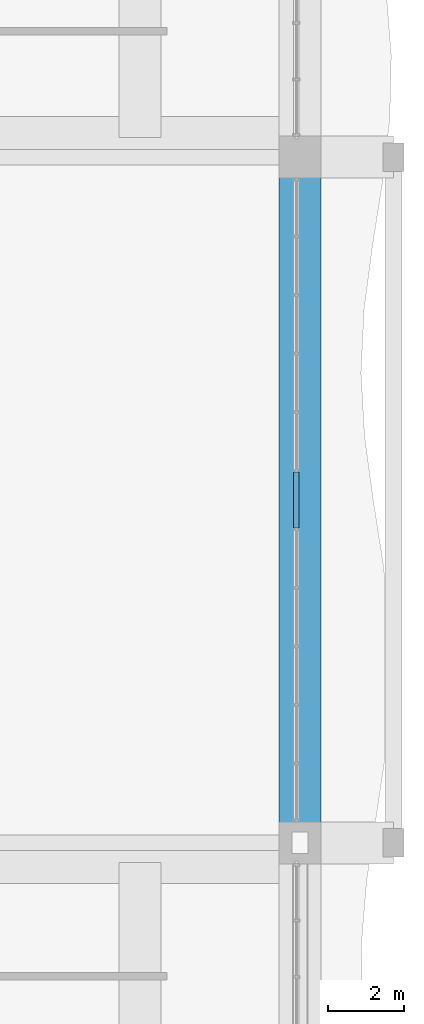
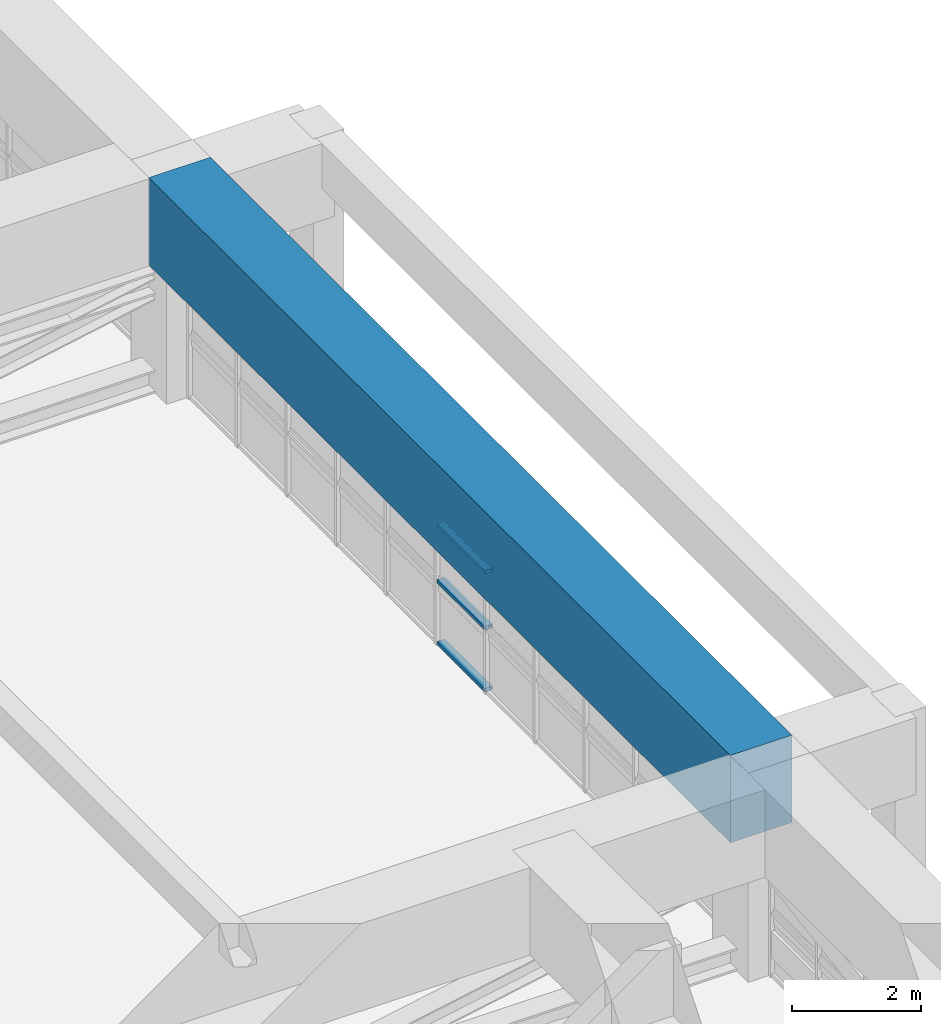
# One storey, part 16 of 35: 3 members, 1 beam, 1 element without a shape of its own.
"""IFC4 building model written with IfcOpenShell, lengths in metres."""

from ifc_helpers import new_model, si_unit, direction, frame, origin, origin_2d, place, context, subcontext, project, spatial, rectangle, hollow_rectangle, extrude, source, transform, mapped, material, layer, layer_set, material_profile, profile_set, type_object, element, aggregate, save


model = new_model("IFC4")

# Units and contexts
model_context = context("Model", 3, precision=1e-05, world=origin(), true_north=direction((0.0, 1.0)))
body_context = subcontext(model_context, "Body", "Model", "MODEL_VIEW")
ifc_project = project(units=[si_unit("LENGTHUNIT", "METRE"), si_unit("AREAUNIT", "SQUARE_METRE"), si_unit("VOLUMEUNIT", "CUBIC_METRE"), si_unit("PLANEANGLEUNIT", "RADIAN"), si_unit("MASSUNIT", "GRAM", prefix="KILO")], contexts=[model_context])

# Site, building, storey
site_placement = place(None, origin())
site = spatial("IfcSite", under=ifc_project, at=site_placement, CompositionType="ELEMENT")
building_placement = place(site_placement, origin())
building = spatial("IfcBuilding", under=site, at=building_placement, Name="Saelheon Loggia Tower", CompositionType="ELEMENT")
storey_placement = place(building_placement, frame((0.0, 0.0, 70.39990234375)))
storey = spatial("IfcBuildingStorey", under=building, at=storey_placement, Name="L22", CompositionType="ELEMENT", Elevation=70.39990234375)

# Beam
ifc_material_1 = material(Name="Concrete C50/60", Category="concrete")
ifc_material_profile_1 = material_profile(ifc_material_1, rectangle(XDim=1.10009765625, YDim=1.64990234375, at=origin_2d()), Name="RC-1100x1650")
ifc_profile_set_1 = profile_set([ifc_material_profile_1], Name="Concrete C50/60")
beam_type = type_object("IfcBeamType", Name="Beam_PerimMega_RC1100x1650", PredefinedType="BEAM", material=ifc_profile_set_1)
shared_shape_1 = source(origin(), body_context, "Body", "SweptSolid", [
    extrude(rectangle(XDim=1.10009765625, YDim=1.64990234375, at=origin_2d()), origin(), (0.0, 0.0, 1.0), 18.0),
])
beam_placement = place(storey_placement, frame((64.0, 18.0, 3.125), z_axis=(0.0, 1.0, 0.0), x_axis=(-1.0, 0.0, 0.0)))
element("IfcBeam", 1, at=beam_placement, inside=storey, type_object=beam_type, Name="L22 Perimeter Frame Girder 06", PredefinedType="BEAM", context=body_context, shape_type="MappedRepresentation", body=[
    mapped(shared_shape_1, transform((0.0, 0.0, 0.0), scale=1.0)),
])

# Curtain wall, members
ifc_material_2 = material(Name="Anodised Aluminium Acoustic Louvre Curtain Wall", Category="aluminium")
ifc_layer = layer(ifc_material_2, 0.179931640625)
ifc_layer_set = layer_set([ifc_layer], Name="Anodised Aluminium Acoustic Louvre Curtain Wall")
curtain_wall_type = type_object("IfcCurtainWallType", Name="CW_RefugeAcoustic", PredefinedType="NOTDEFINED", material=ifc_layer_set)
curtain_wall_placement = place(storey_placement, origin())
curtain_wall = element("IfcCurtainWall", 2, at=curtain_wall_placement, inside=storey, type_object=curtain_wall_type, Name="L22 E Refuge Acoustic Curtain Wall 2", PredefinedType="NOTDEFINED")
ifc_material_3 = material(Name="Anodised Aluminium 6063-T6", Category="aluminium")
ifc_material_profile_2 = material_profile(ifc_material_3, hollow_rectangle(XDim=0.06494140625, YDim=0.139892578125, WallThickness=0.00390625, at=origin_2d()), Name="RHS-140x65x4")
ifc_profile_set_2 = profile_set([ifc_material_profile_2], Name="Anodised Aluminium 6063-T6")
member_type = type_object("IfcMemberType", Name="CW_RefugeAcoustic_Transom", PredefinedType="USERDEFINED", material=ifc_profile_set_2)
shared_shape_2 = source(origin(), body_context, "Body", "SweptSolid", [
    extrude(hollow_rectangle(XDim=0.06494140625, YDim=0.139892578125, WallThickness=0.00390625, at=origin_2d()), origin(), (0.0, 0.0, 1.0), 1.47119140625),
])
member_1_placement = place(storey_placement, frame((63.89990234375, 26.264404296875, 0.03271484375), z_axis=(0.0, 1.0, 0.0), x_axis=(0.0, 0.0, 1.0)))
member_1 = element("IfcMember", 3, at=member_1_placement, type_object=member_type, Name="CW5 transom 6.1", ObjectType="TRANSOM", PredefinedType="USERDEFINED", context=body_context, shape_type="MappedRepresentation", body=[
    mapped(shared_shape_2, transform((0.0, 0.0, 0.0), scale=1.0)),
])
member_2_placement = place(storey_placement, frame((63.89990234375, 26.264404296875, 1.2001953125), z_axis=(0.0, 1.0, 0.0), x_axis=(0.0, 0.0, 1.0)))
member_2 = element("IfcMember", 4, at=member_2_placement, type_object=member_type, Name="CW5 transom 6.2", ObjectType="TRANSOM", PredefinedType="USERDEFINED", context=body_context, shape_type="MappedRepresentation", body=[
    mapped(shared_shape_2, transform((0.0, 0.0, 0.0), scale=1.0)),
])
member_3_placement = place(storey_placement, frame((63.89990234375, 26.264404296875, 2.257568359375), z_axis=(0.0, 1.0, 0.0), x_axis=(0.0, 0.0, 1.0)))
member_3 = element("IfcMember", 5, at=member_3_placement, type_object=member_type, Name="CW5 transom 6.3", ObjectType="TRANSOM", PredefinedType="USERDEFINED", context=body_context, shape_type="MappedRepresentation", body=[
    mapped(shared_shape_2, transform((0.0, 0.0, 0.0), scale=1.0)),
])
aggregate(curtain_wall, [member_1, member_2, member_3])

save(model, "model.ifc")
